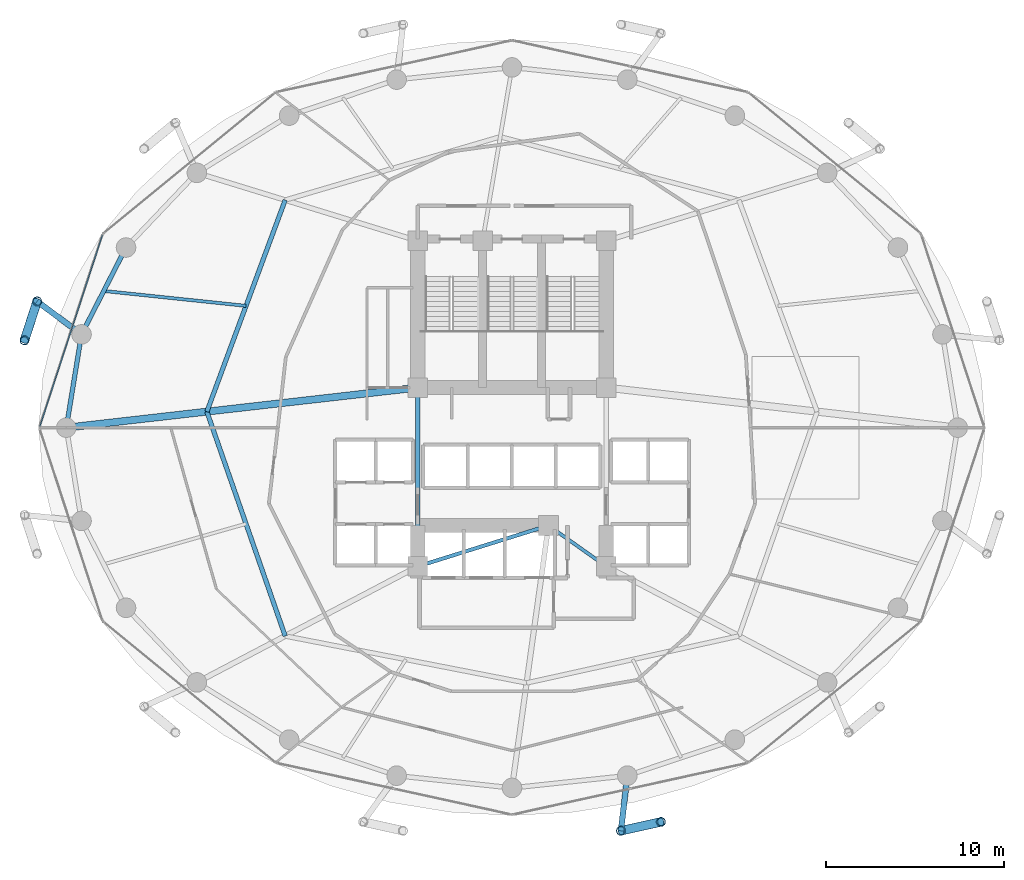
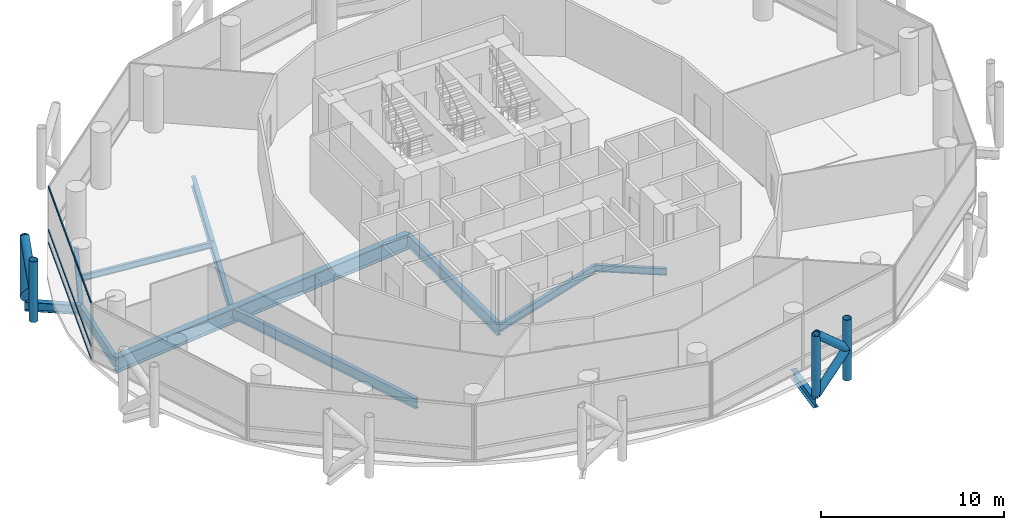
# One storey, part 7 of 24: 11 beams, 11 members, 1 element without a shape of its own.
"""IFC4 building model written with IfcOpenShell, lengths in metres."""

from ifc_helpers import new_model, si_unit, direction, frame, origin, origin_2d, place, context, subcontext, project, spatial, hollow_rectangle, hollow_circle, i_section, extrude, material, layer, layer_set, material_profile, profile_set, type_object, element, aggregate, save


model = new_model("IFC4")

# Units and contexts
model_context = context("Model", 3, precision=1e-05, world=origin(), true_north=direction((0.0, 1.0)))
body_context = subcontext(model_context, "Body", "Model", "MODEL_VIEW")
ifc_project = project(units=[si_unit("LENGTHUNIT", "METRE"), si_unit("AREAUNIT", "SQUARE_METRE"), si_unit("VOLUMEUNIT", "CUBIC_METRE"), si_unit("PLANEANGLEUNIT", "RADIAN"), si_unit("MASSUNIT", "GRAM", prefix="KILO")], contexts=[model_context])

# Site, building, storey
site_placement = place(None, origin())
site = spatial("IfcSite", under=ifc_project, at=site_placement, CompositionType="ELEMENT")
building_placement = place(site_placement, origin())
building = spatial("IfcBuilding", under=site, at=building_placement, Name="Nuhasar Tower", CompositionType="ELEMENT")
storey_placement = place(building_placement, frame((0.0, 0.0, 37.199951171875)))
storey = spatial("IfcBuildingStorey", under=building, at=storey_placement, Name="L08", CompositionType="ELEMENT", Elevation=37.199951171875)

# Beams
ifc_material_1 = material(Name="Steel S355", Category="steel")
ifc_material_profile_1 = material_profile(ifc_material_1, i_section(OverallWidth=0.25390625, OverallDepth=0.68408203125, WebThickness=0.012451171875, FlangeThickness=0.018798828125, at=origin_2d()), Name="W27X94")
ifc_profile_set_1 = profile_set([ifc_material_profile_1], Name="Steel S355")
beam_type_1 = type_object("IfcBeamType", Name="BM-INRING-W27X94", PredefinedType="BEAM", material=ifc_profile_set_1)
beam_1_placement = place(storey_placement, frame((26.251953125, 39.591064453125, -0.60205078125), z_axis=(-0.34715757476, -0.937806812881, 0.0), x_axis=(0.937806812881, -0.34715757476, 0.0)))
element("IfcBeam", 1, at=beam_1_placement, inside=storey, type_object=beam_type_1, Name="L08 Inner Header Beam 07", PredefinedType="BEAM", context=body_context, shape_type="SweptSolid", body=[
    extrude(i_section(OverallWidth=0.25390625, OverallDepth=0.68408203125, WebThickness=0.012451171875, FlangeThickness=0.018798828125, at=origin_2d()), origin(), (0.0, 0.0, 1.0), 12.6796875),
])
beam_2_placement = place(storey_placement, frame((21.85009765625, 27.699951171875, -0.60205078125), z_axis=(0.329554049858, -0.944136710558, 0.0), x_axis=(0.944136710558, 0.329554049858, 0.0)))
element("IfcBeam", 2, at=beam_2_placement, inside=storey, type_object=beam_type_1, Name="L08 Inner Header Beam 08", PredefinedType="BEAM", context=body_context, shape_type="SweptSolid", body=[
    extrude(i_section(OverallWidth=0.25390625, OverallDepth=0.68408203125, WebThickness=0.012451171875, FlangeThickness=0.018798828125, at=origin_2d()), origin(), (0.0, 0.0, 1.0), 13.35693359375),
])
ifc_material_profile_2 = material_profile(ifc_material_1, i_section(OverallWidth=0.177978515625, OverallDepth=0.406005859375, WebThickness=0.0078125, FlangeThickness=0.0126953125, at=origin_2d()), Name="W16X40")
ifc_profile_set_2 = profile_set([ifc_material_profile_2], Name="Steel S355")
beam_type_2 = type_object("IfcBeamType", Name="BM-JST-W16X40", PredefinedType="JOIST", material=ifc_profile_set_2)
beam_3_placement = place(storey_placement, frame((24.051025390625, 33.64501953125, -0.462890625), z_axis=(-0.994554594377, 0.104216883485, 0.0), x_axis=(-0.104216883485, -0.994554594377, 0.0)))
element("IfcBeam", 3, at=beam_3_placement, inside=storey, type_object=beam_type_2, Name="L08 Secondary Floor Joist 07", PredefinedType="JOIST", context=body_context, shape_type="SweptSolid", body=[
    extrude(i_section(OverallWidth=0.177978515625, OverallDepth=0.406005859375, WebThickness=0.0078125, FlangeThickness=0.0126953125, at=origin_2d()), origin(), (0.0, 0.0, 1.0), 8.039794921875),
])
ifc_material_profile_3 = material_profile(ifc_material_1, i_section(OverallWidth=0.18994140625, OverallDepth=0.45703125, WebThickness=0.009033203125, FlangeThickness=0.014404296875, at=origin_2d()), Name="W18X50")
ifc_profile_set_3 = profile_set([ifc_material_profile_3], Name="Steel S355")
beam_type_3 = type_object("IfcBeamType", Name="BM-RAD-W18X50", PredefinedType="BEAM", material=ifc_profile_set_3)
beam_4_placement = place(storey_placement, frame((41.050048828125, 21.300048828125, -0.488037109375), z_axis=(0.816265428953, -0.577677028708, 0.0), x_axis=(0.577677028708, 0.816265428953, 0.0)))
element("IfcBeam", 4, at=beam_4_placement, inside=storey, type_object=beam_type_3, Name="L08 Core Ring Girder 2", PredefinedType="BEAM", context=body_context, shape_type="SweptSolid", body=[
    extrude(i_section(OverallWidth=0.18994140625, OverallDepth=0.45703125, WebThickness=0.009033203125, FlangeThickness=0.014404296875, at=origin_2d()), origin(), (0.0, 0.0, 1.0), 3.9814453125),
])
ifc_material_profile_4 = material_profile(ifc_material_1, i_section(OverallWidth=0.208984375, OverallDepth=0.532958984375, WebThickness=0.01025390625, FlangeThickness=0.015625, at=origin_2d()), Name="W21X62")
ifc_profile_set_4 = profile_set([ifc_material_profile_4], Name="Steel S355")
beam_type_4 = type_object("IfcBeamType", Name="BM-RAD-W21X62", PredefinedType="BEAM", material=ifc_profile_set_4)
beam_5_placement = place(storey_placement, frame((33.699951171875, 19.0, -0.52685546875), z_axis=(0.954363709454, 0.298646798205, 0.0), x_axis=(-0.298646798205, 0.954363709454, 0.0)))
element("IfcBeam", 5, at=beam_5_placement, inside=storey, type_object=beam_type_4, Name="L08 Core Ring Girder 1", PredefinedType="BEAM", context=body_context, shape_type="SweptSolid", body=[
    extrude(i_section(OverallWidth=0.208984375, OverallDepth=0.532958984375, WebThickness=0.01025390625, FlangeThickness=0.015625, at=origin_2d()), origin(), (0.0, 0.0, 1.0), 7.70166015625),
])
ifc_material_profile_5 = material_profile(ifc_material_1, i_section(OverallWidth=0.26611328125, OverallDepth=0.779052734375, WebThickness=0.0166015625, FlangeThickness=0.030029296875, at=origin_2d()), Name="W30X148")
ifc_profile_set_5 = profile_set([ifc_material_profile_5], Name="Steel S355")
beam_type_5 = type_object("IfcBeamType", Name="BM-RAD-W30X148", PredefinedType="BEAM", material=ifc_profile_set_5)
beam_6_placement = place(storey_placement, frame((33.699951171875, 29.050048828125, -0.64990234375), z_axis=(0.0, -1.0, 0.0), x_axis=(1.0, 0.0, 0.0)))
element("IfcBeam", 6, at=beam_6_placement, inside=storey, type_object=beam_type_5, Name="L08 Core Ring Girder 8", PredefinedType="BEAM", context=body_context, shape_type="SweptSolid", body=[
    extrude(i_section(OverallWidth=0.26611328125, OverallDepth=0.779052734375, WebThickness=0.0166015625, FlangeThickness=0.030029296875, at=origin_2d()), origin(), (0.0, 0.0, 1.0), 10.050048828125),
])
ifc_material_profile_6 = material_profile(ifc_material_1, i_section(OverallWidth=0.256103515625, OverallDepth=0.693115234375, WebThickness=0.014404296875, FlangeThickness=0.023681640625, at=origin_2d()), Name="W27X114")
ifc_profile_set_6 = profile_set([ifc_material_profile_6], Name="Steel S355")
beam_type_6 = type_object("IfcBeamType", Name="BM-RING-W27X114", PredefinedType="SPANDREL", material=ifc_profile_set_6)
beam_7_placement = place(storey_placement, frame((17.305908203125, 36.925048828125, -0.60693359375), z_axis=(-0.455930023905, -0.890015625314, 0.0), x_axis=(0.890015625314, -0.455930023905, 0.0)))
element("IfcBeam", 7, at=beam_7_placement, inside=storey, type_object=beam_type_6, Name="L08 Perimeter Ring Spandrel 11", PredefinedType="SPANDREL", context=body_context, shape_type="SweptSolid", body=[
    extrude(i_section(OverallWidth=0.256103515625, OverallDepth=0.693115234375, WebThickness=0.014404296875, FlangeThickness=0.023681640625, at=origin_2d()), origin(), (0.0, 0.0, 1.0), 5.487548828125),
])
beam_8_placement = place(storey_placement, frame((14.803955078125, 32.041015625, -0.60693359375), z_axis=(-0.160826635486, -0.986982671235, 0.0), x_axis=(0.986982671235, -0.160826635486, 0.0)))
element("IfcBeam", 8, at=beam_8_placement, inside=storey, type_object=beam_type_6, Name="L08 Perimeter Ring Spandrel 12", PredefinedType="SPANDREL", context=body_context, shape_type="SweptSolid", body=[
    extrude(i_section(OverallWidth=0.256103515625, OverallDepth=0.693115234375, WebThickness=0.014404296875, FlangeThickness=0.023681640625, at=origin_2d()), origin(), (0.0, 0.0, 1.0), 5.31005859375),
])
ifc_material_profile_7 = material_profile(ifc_material_1, i_section(OverallWidth=0.323974609375, OverallDepth=0.611083984375, WebThickness=0.0126953125, FlangeThickness=0.01904296875, at=origin_2d()), Name="W24X104")
ifc_profile_set_7 = profile_set([ifc_material_profile_7], Name="Steel S355")
beam_type_7 = type_object("IfcBeamType", Name="BM-TIE-W24X104", PredefinedType="BEAM", material=ifc_profile_set_7)
beam_9_placement = place(storey_placement, frame((14.803955078125, 32.041015625, -0.56591796875), z_axis=(-0.802151061326, 0.597121155892, 0.0), x_axis=(-0.597121155892, -0.802151061326, 0.0)))
element("IfcBeam", 9, at=beam_9_placement, inside=storey, type_object=beam_type_7, Name="L08 Exoskeleton Node Tie Beam 06", PredefinedType="BEAM", context=body_context, shape_type="SweptSolid", body=[
    extrude(i_section(OverallWidth=0.323974609375, OverallDepth=0.611083984375, WebThickness=0.0126953125, FlangeThickness=0.01904296875, at=origin_2d()), origin(), (0.0, 0.0, 1.0), 3.111328125),
])
beam_10_placement = place(storey_placement, frame((45.48291015625, 7.239990234375, -0.56591796875), z_axis=(-0.115042934281, -0.993360520291, 0.0), x_axis=(0.993360520291, -0.115042934281, 0.0)))
element("IfcBeam", 10, at=beam_10_placement, inside=storey, type_object=beam_type_7, Name="L08 Exoskeleton Node Tie Beam 10", PredefinedType="BEAM", context=body_context, shape_type="SweptSolid", body=[
    extrude(i_section(OverallWidth=0.323974609375, OverallDepth=0.611083984375, WebThickness=0.0126953125, FlangeThickness=0.01904296875, at=origin_2d()), origin(), (0.0, 0.0, 1.0), 3.11962890625),
])
ifc_material_2 = material(Name="Steel S460", Category="steel")
ifc_material_profile_8 = material_profile(ifc_material_2, i_section(OverallWidth=0.40087890625, OverallDepth=1.010009765625, WebThickness=0.023681640625, FlangeThickness=0.0419921875, at=origin_2d()), Name="W40X297")
ifc_profile_set_8 = profile_set([ifc_material_profile_8], Name="Steel S460")
beam_type_8 = type_object("IfcBeamType", Name="BM-XFER-W40X297", PredefinedType="USERDEFINED", material=ifc_profile_set_8)
beam_11_placement = place(storey_placement, frame((33.699951171875, 29.050048828125, -0.764892578125), z_axis=(-0.993573147212, -0.113191877531, 0.0), x_axis=(0.113191877531, -0.993573147212, 0.0)))
element("IfcBeam", 11, at=beam_11_placement, inside=storey, type_object=beam_type_8, Name="L08 Radial Floor Girder 08", ObjectType="GIRDER", PredefinedType="USERDEFINED", context=body_context, shape_type="SweptSolid", body=[
    extrude(i_section(OverallWidth=0.40087890625, OverallDepth=1.010009765625, WebThickness=0.023681640625, FlangeThickness=0.0419921875, at=origin_2d()), origin(), (0.0, 0.0, 1.0), 19.877685546875),
])

# Curtain wall, members
ifc_material_3 = material(Name="Aluminium 6063-T6", Category="aluminium")
ifc_layer = layer(ifc_material_3, 0.199951171875)
ifc_layer_set = layer_set([ifc_layer], Name="Aluminium 6063-T6")
curtain_wall_type = type_object("IfcCurtainWallType", Name="CW-Z1-OFF", PredefinedType="NOTDEFINED", material=ifc_layer_set)
curtain_wall_placement = place(storey_placement, origin())
curtain_wall = element("IfcCurtainWall", 12, at=curtain_wall_placement, inside=storey, type_object=curtain_wall_type, Name="L08 Unitised Curtain Wall 06", PredefinedType="NOTDEFINED")
ifc_material_profile_9 = material_profile(ifc_material_3, hollow_rectangle(XDim=0.06494140625, YDim=0.14990234375, WallThickness=0.00439453125, at=origin_2d()), Name="CWT-2")
ifc_profile_set_9 = profile_set([ifc_material_profile_9], Name="Aluminium 6063-T6")
member_type_1 = type_object("IfcMemberType", Name="CW-TRN-S2", PredefinedType="USERDEFINED", material=ifc_profile_set_9)
member_1_placement = place(storey_placement, frame((15.977783203125, 37.6181640625, 0.032470703125), z_axis=(-0.31082506089, -0.950467138581, 0.0), x_axis=(0.950467138581, -0.31082506089, 0.0)))
member_1 = element("IfcMember", 13, at=member_1_placement, type_object=member_type_1, Name="CW-Z1 transom 1.1", ObjectType="TRANSOM", PredefinedType="USERDEFINED", context=body_context, shape_type="SweptSolid", body=[
    extrude(hollow_rectangle(XDim=0.06494140625, YDim=0.14990234375, WallThickness=0.00439453125, at=origin_2d()), origin(), (0.0, 0.0, 1.0), 11.31689453125),
])
member_2_placement = place(storey_placement, frame((15.977783203125, 37.6181640625, 0.900146484375), z_axis=(-0.31082506089, -0.950467138581, 0.0), x_axis=(0.950467138581, -0.31082506089, 0.0)))
member_2 = element("IfcMember", 14, at=member_2_placement, type_object=member_type_1, Name="CW-Z1 transom 1.2", ObjectType="TRANSOM", PredefinedType="USERDEFINED", context=body_context, shape_type="SweptSolid", body=[
    extrude(hollow_rectangle(XDim=0.06494140625, YDim=0.14990234375, WallThickness=0.00439453125, at=origin_2d()), origin(), (0.0, 0.0, 1.0), 11.31689453125),
])
member_3_placement = place(storey_placement, frame((15.977783203125, 37.6181640625, 3.757568359375), z_axis=(-0.31082506089, -0.950467138581, 0.0), x_axis=(0.950467138581, -0.31082506089, 0.0)))
member_3 = element("IfcMember", 15, at=member_3_placement, type_object=member_type_1, Name="CW-Z1 transom 1.3", ObjectType="TRANSOM", PredefinedType="USERDEFINED", context=body_context, shape_type="SweptSolid", body=[
    extrude(hollow_rectangle(XDim=0.06494140625, YDim=0.14990234375, WallThickness=0.00439453125, at=origin_2d()), origin(), (0.0, 0.0, 1.0), 11.31689453125),
])
aggregate(curtain_wall, [member_1, member_2, member_3])

# Members
ifc_material_profile_10 = material_profile(ifc_material_2, hollow_circle(Radius=0.25390625, WallThickness=0.025390625, at=origin_2d()), Name="HSS508X25.4")
ifc_profile_set_10 = profile_set([ifc_material_profile_10], Name="Steel S460")
member_type_2 = type_object("IfcMemberType", Name="EXO-BRONZE-508", PredefinedType="BRACE", material=ifc_profile_set_10)
for number, where, z_axis, x_axis, name in (
    (16, (12.30810546875, 33.89892578125, 0.0), (0.0, 0.0, 1.0), (1.0, 0.0, 0.0), "L08 Exoskeleton Chord Column EC-06A"),
    (17, (11.60009765625, 31.7099609375, 0.0), (0.0, 0.0, 1.0), (1.0, 0.0, 0.0), "L08 Exoskeleton Chord Column EC-06B"),
    (18, (45.1240234375, 4.14111328125, 0.0), (0.0, 0.0, 1.0), (1.0, 0.0, 0.0), "L08 Exoskeleton Chord Column EC-10A"),
    (19, (47.3701171875, 4.639892578125, 0.0), (0.0, 0.0, 1.0), (1.0, 0.0, 0.0), "L08 Exoskeleton Chord Column EC-10B"),
):
    element("IfcMember", number, at=place(storey_placement, frame(where, z_axis=z_axis, x_axis=x_axis)), inside=storey, type_object=member_type_2, Name=name, PredefinedType="BRACE", context=body_context, shape_type="SweptSolid", body=[
        extrude(hollow_circle(Radius=0.25390625, WallThickness=0.025390625, at=origin_2d()), origin(), (0.0, 0.0, 1.0), 4.050048828125),
    ])
member_4_placement = place(storey_placement, frame((12.30810546875, 33.89892578125, 0.0), z_axis=(-0.230999678299, -0.714187281251, 0.660738734997), x_axis=(0.951468282519, -0.307746823478, 0.0)))
element("IfcMember", 20, at=member_4_placement, inside=storey, type_object=member_type_2, Name="L08 Bronze Diagrid Brace W1-06", PredefinedType="BRACE", context=body_context, shape_type="SweptSolid", body=[
    extrude(hollow_circle(Radius=0.25390625, WallThickness=0.025390625, at=origin_2d()), origin(), (0.0, 0.0, 1.0), 3.06494140625),
])
member_5_placement = place(storey_placement, frame((11.60009765625, 31.7099609375, 2.025146484375), z_axis=(0.231011836313, 0.714224870475, 0.660693851854), x_axis=(-0.951468282519, 0.307746823478, 0.0)))
element("IfcMember", 21, at=member_5_placement, inside=storey, type_object=member_type_2, Name="L08 Bronze Diagrid Brace W2-06", PredefinedType="BRACE", context=body_context, shape_type="SweptSolid", body=[
    extrude(hollow_circle(Radius=0.25390625, WallThickness=0.025390625, at=origin_2d()), origin(), (0.0, 0.0, 1.0), 3.064697265625),
])
member_6_placement = place(storey_placement, frame((45.1240234375, 4.14111328125, 0.0), z_axis=(0.732792408767, 0.162727705556, 0.660707938122), x_axis=(-0.216784396973, 0.976219506683, 0.0)))
element("IfcMember", 22, at=member_6_placement, inside=storey, type_object=member_type_2, Name="L08 Bronze Diagrid Brace W1-10", PredefinedType="BRACE", context=body_context, shape_type="SweptSolid", body=[
    extrude(hollow_circle(Radius=0.25390625, WallThickness=0.025390625, at=origin_2d()), origin(), (0.0, 0.0, 1.0), 3.065185546875),
])
member_7_placement = place(storey_placement, frame((47.3701171875, 4.639892578125, 2.025146484375), z_axis=(-0.732830973624, -0.162736269469, 0.66066305383), x_axis=(0.216784396973, -0.976219506683, 0.0)))
element("IfcMember", 23, at=member_7_placement, inside=storey, type_object=member_type_2, Name="L08 Bronze Diagrid Brace W2-10", PredefinedType="BRACE", context=body_context, shape_type="SweptSolid", body=[
    extrude(hollow_circle(Radius=0.25390625, WallThickness=0.025390625, at=origin_2d()), origin(), (0.0, 0.0, 1.0), 3.06494140625),
])

save(model, "model.ifc")
